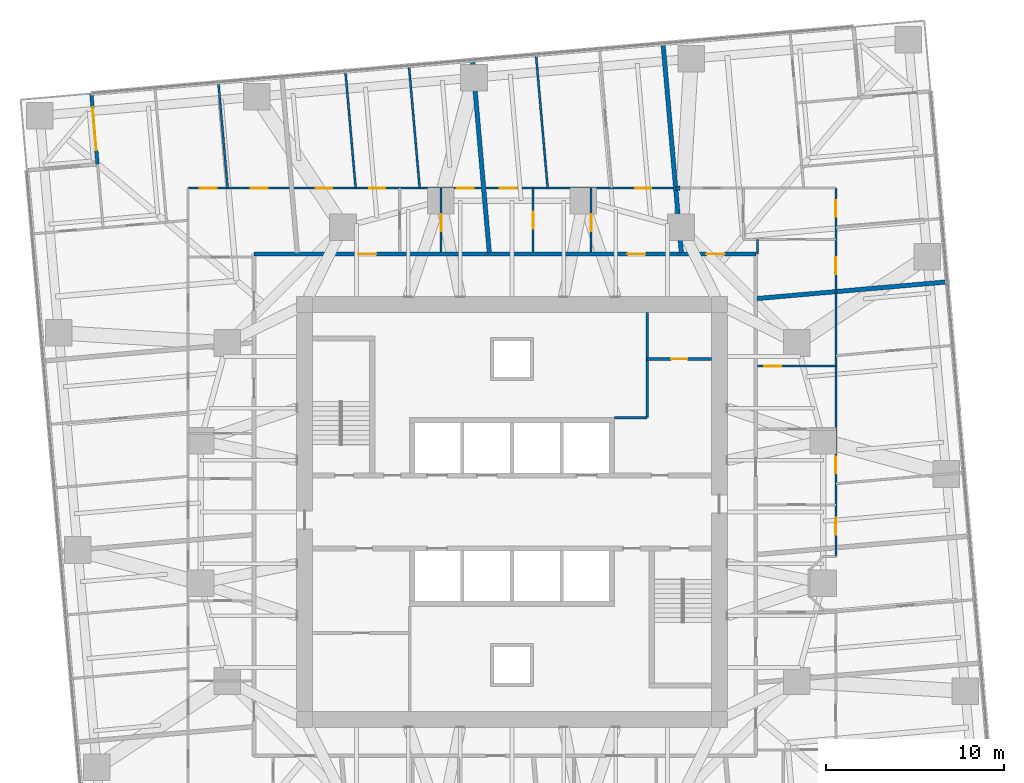
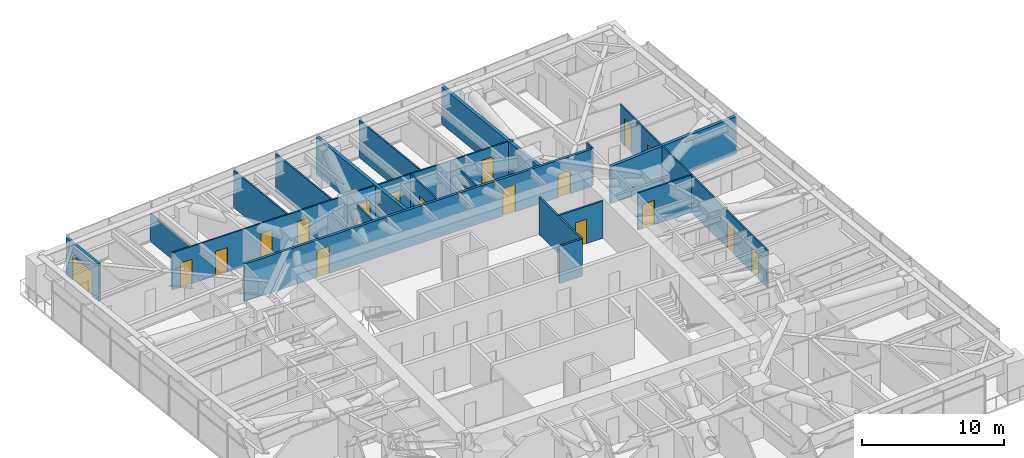
# One storey, part 15 of 18: 20 doors, 20 walls, 20 openings.
"""IFC4 building model written with IfcOpenShell, lengths in metres."""

import ifcopenshell
import ifcopenshell.guid

model = None  # the IFC model being written
_history = None  # IfcOwnerHistory: only IFC2X3 demands one
_inside = {}  # id of a spatial element -> (the spatial element, [elements in it])
_under = {}  # id of a project, library or spatial element -> (it, [spatial elements below it])
_declared = {}  # id of a project -> (the project, [libraries it declares])
_typed = {}  # id of a type object -> (the type object, [elements of that type])
_made_of = {}  # id of a material, layer set ... -> (it, [elements and type objects made of it])


def new_model(schema):
    """Start an empty IFC model of exactly this schema.

    Asked for "IFC4X3", IfcOpenShell would pick the latest addendum, in which some entities
    have other attributes; the version numbers below select the first issue.
    IFC2X3 requires an IfcOwnerHistory on every rooted entity: one is made here for all.
    """
    global model, _history
    if schema == "IFC4X3":
        model = ifcopenshell.file(schema_version=(4, 3, 0, 0))
    else:
        model = ifcopenshell.file(schema=schema)
    _inside.clear()
    _under.clear()
    _declared.clear()
    _typed.clear()
    _made_of.clear()
    _history = None
    if model.schema == "IFC2X3":
        org = make("IfcOrganization", Name="unknown")
        user = make(
            "IfcPersonAndOrganization",
            ThePerson=make("IfcPerson", FamilyName="unknown"),
            TheOrganization=org,
        )
        app = make(
            "IfcApplication",
            ApplicationDeveloper=org,
            Version="unknown",
            ApplicationFullName="unknown",
            ApplicationIdentifier="unknown",
        )
        _history = make(
            "IfcOwnerHistory",
            OwningUser=user,
            OwningApplication=app,
            ChangeAction="ADDED",
            CreationDate=0,
        )
    return model


def make(cls, **values):
    """One entity of the class cls with the attributes given. An attribute that is None is left unset."""
    return model.create_entity(
        cls, **{name: value for name, value in values.items() if value is not None}
    )


def rooted(cls, **values):
    """An entity with a GlobalId (a new one), such as an element, a storey or a relation."""
    return make(cls, GlobalId=ifcopenshell.guid.new(), OwnerHistory=_history, **values)


def si_unit(unit_type, name, prefix=None):
    """IfcSIUnit, for example si_unit("LENGTHUNIT", "METRE", prefix="MILLI")."""
    return make("IfcSIUnit", UnitType=unit_type, Prefix=prefix, Name=name)


def assignment(units):
    """IfcUnitAssignment: the units of a project."""
    return None if units is None else make("IfcUnitAssignment", Units=units)


def point(xyz):
    """IfcCartesianPoint."""
    return None if xyz is None else make("IfcCartesianPoint", Coordinates=xyz)


def direction(xyz):
    """IfcDirection."""
    return None if xyz is None else make("IfcDirection", DirectionRatios=xyz)


def frame(location, z_axis=None, x_axis=None):
    """IfcAxis2Placement3D, a coordinate frame: its origin and axes. An axis left out is left unset."""
    return make(
        "IfcAxis2Placement3D",
        Location=point(location),
        Axis=direction(z_axis),
        RefDirection=direction(x_axis),
    )


def frame_2d(location, x_axis=None):
    """IfcAxis2Placement2D, a coordinate frame in the plane: its origin and x axis."""
    return make(
        "IfcAxis2Placement2D", Location=point(location), RefDirection=direction(x_axis)
    )


def origin():
    """The frame at (0, 0, 0) with its axes left unset."""
    return frame((0.0, 0.0, 0.0))


def place(relative_to, where):
    """IfcLocalPlacement: puts the frame where relative to a parent placement (None: the world)."""
    return make(
        "IfcLocalPlacement", PlacementRelTo=relative_to, RelativePlacement=where
    )


def context(
    kind, dimensions, precision=None, world=None, true_north=None, identifier=None
):
    """IfcGeometricRepresentationContext, for example the 3D "Model" context."""
    return make(
        "IfcGeometricRepresentationContext",
        ContextIdentifier=identifier,
        ContextType=kind,
        CoordinateSpaceDimension=dimensions,
        Precision=precision,
        WorldCoordinateSystem=world,
        TrueNorth=true_north,
    )


def subcontext(parent, identifier, kind, view, scale=None):
    """IfcGeometricRepresentationSubContext, for example "Body" below "Model"."""
    return make(
        "IfcGeometricRepresentationSubContext",
        ContextIdentifier=identifier,
        ContextType=kind,
        ParentContext=parent,
        TargetScale=scale,
        TargetView=view,
    )


def project(units=None, contexts=None):
    """IfcProject with its units and contexts."""
    return rooted(
        "IfcProject",
        Name="project",
        RepresentationContexts=contexts,
        UnitsInContext=assignment(units),
    )


def spatial(cls, under=None, at=None, **own):
    """A site, building, storey or space (cls), placed at a placement, below another one or the project."""
    s = rooted(cls, ObjectPlacement=at, **own)
    if under is not None:
        _under.setdefault(under.id(), (under, []))[1].append(s)
    return s


def profile(cls, at=None, kind="AREA", **sizes):
    """A parametric profile (cls). Its sizes go by their IFC names, for example OverallWidth=200.0."""
    return make(cls, ProfileType=kind, Position=at, **sizes)


def rectangle(**sizes):
    """IfcRectangleProfileDef."""
    return profile("IfcRectangleProfileDef", **sizes)


def extrude(swept, where, along, depth):
    """IfcExtrudedAreaSolid: the profile swept, set in the frame where, extruded along a direction by depth."""
    return make(
        "IfcExtrudedAreaSolid",
        SweptArea=swept,
        Position=where,
        ExtrudedDirection=direction(along),
        Depth=depth,
    )


def shape(context_of_items, identifier, shape_type, items):
    """IfcShapeRepresentation: the items that make up one representation, for example the "Body"."""
    return make(
        "IfcShapeRepresentation",
        ContextOfItems=context_of_items,
        RepresentationIdentifier=identifier,
        RepresentationType=shape_type,
        Items=items,
    )


def material(Name=None, Category=None):
    """IfcMaterial."""
    return make("IfcMaterial", Name=Name, Category=Category)


def layer(
    of_material, thickness, ventilated=None, Name=None, Category=None, Priority=None
):
    """IfcMaterialLayer: one layer of a wall or slab, of a material (None: an air gap)."""
    return make(
        "IfcMaterialLayer",
        Material=of_material,
        LayerThickness=thickness,
        IsVentilated=ventilated,
        Name=Name,
        Category=Category,
        Priority=Priority,
    )


def layer_set(layers, Name=None):
    """IfcMaterialLayerSet."""
    return make("IfcMaterialLayerSet", MaterialLayers=layers, LayerSetName=Name)


def made_of(thing, what):
    """Note that an element or type object is made of a material, layer set ...; save() writes the relation."""
    if what is not None:
        _made_of.setdefault(what.id(), (what, []))[1].append(thing)
    return thing


def type_object(cls, material=None, **own):
    """A type object (cls), such as IfcWallType, which elements share."""
    return made_of(rooted(cls, **own), material)


def element(
    cls,
    number,
    at=None,
    inside=None,
    cuts=None,
    type_object=None,
    material=None,
    context=None,
    identifier="Body",
    shape_type=None,
    held_by="IfcProductDefinitionShape",
    body=None,
    shapes=None,
    **own,
):
    """One element of the class cls, such as IfcWall. Its Tag is "e" and its number.

    at: its placement. inside: the storey or other place that contains it. cuts: it is an
    opening in that element (IfcRelVoidsElement). A single representation is given by context,
    identifier, shape_type and body (its items); several are given by shapes. held_by: the class
    of the entity that holds the representations. save() writes the other relations.
    """
    e = rooted(cls, Tag="e%d" % number, ObjectPlacement=at, **own)
    if body is not None:
        shapes = [shape(context, identifier, shape_type, body)]
    if shapes is not None:
        e.Representation = make(held_by, Representations=shapes)
    if inside is not None:
        _inside.setdefault(inside.id(), (inside, []))[1].append(e)
    if cuts is not None:
        rooted(
            "IfcRelVoidsElement", RelatingBuildingElement=cuts, RelatedOpeningElement=e
        )
    if type_object is not None:
        _typed.setdefault(type_object.id(), (type_object, []))[1].append(e)
    return made_of(e, material)


def fill(opening, filler):
    """IfcRelFillsElement: the door or window that sits in an opening."""
    return rooted(
        "IfcRelFillsElement",
        RelatingOpeningElement=opening,
        RelatedBuildingElement=filler,
    )


def aggregate(whole, parts):
    """IfcRelAggregates: a whole, such as a stair, and the parts it consists of."""
    return rooted("IfcRelAggregates", RelatingObject=whole, RelatedObjects=parts)


def save(model, path):
    """Write the relations noted so far, then the file.

    IfcRelAggregates (storeys below a building ...), IfcRelContainedInSpatialStructure (elements
    in a storey), IfcRelDefinesByType, IfcRelAssociatesMaterial and IfcRelDeclares: one each for
    every whole, place, type object, material and project.
    """
    for whole, parts in _under.values():
        aggregate(whole, parts)
    for where, things in _inside.values():
        rooted(
            "IfcRelContainedInSpatialStructure",
            RelatedElements=things,
            RelatingStructure=where,
        )
    for kind, things in _typed.values():
        rooted("IfcRelDefinesByType", RelatedObjects=things, RelatingType=kind)
    for what, things in _made_of.values():
        rooted("IfcRelAssociatesMaterial", RelatedObjects=things, RelatingMaterial=what)
    for by, libraries in _declared.values():
        rooted("IfcRelDeclares", RelatingContext=by, RelatedDefinitions=libraries)
    model.write(path)


model = new_model("IFC4")

# Units and contexts
model_context = context("Model", 3, precision=1e-05, world=origin(), true_north=direction((0.0, 1.0)))
body_context = subcontext(model_context, "Body", "Model", "MODEL_VIEW")
ifc_project = project(units=[si_unit("LENGTHUNIT", "METRE"), si_unit("AREAUNIT", "SQUARE_METRE"), si_unit("VOLUMEUNIT", "CUBIC_METRE"), si_unit("PLANEANGLEUNIT", "RADIAN"), si_unit("MASSUNIT", "GRAM", prefix="KILO")], contexts=[model_context])

# Site, building, storey
site_placement = place(None, origin())
site = spatial("IfcSite", under=ifc_project, at=site_placement, CompositionType="ELEMENT")
building_placement = place(site_placement, origin())
building = spatial("IfcBuilding", under=site, at=building_placement, Name="Torsade Residences", CompositionType="ELEMENT")
storey_placement = place(building_placement, frame((0.0, 0.0, 71.0)))
storey = spatial("IfcBuildingStorey", under=building, at=storey_placement, Name="L19", CompositionType="ELEMENT", Elevation=71.0)

# Wall, openings, doors
ifc_material_1 = material(Name="Plasterboard on steel stud", Category="steel")
ifc_layer_1 = layer(ifc_material_1, 0.199951171875)
ifc_layer_set_1 = layer_set([ifc_layer_1], Name="Plasterboard on steel stud")
wall_type_1 = type_object("IfcWallType", Name="CORRIDOR WALL 200", PredefinedType="PARTITIONING", material=ifc_layer_set_1)
wall_1_placement = place(storey_placement, frame((53.699951171875, 44.5, 0.0), z_axis=(0.0, 0.0, 1.0), x_axis=(-1.0, 0.0, 0.0)))
wall_1 = element("IfcWall", 1, at=wall_1_placement, inside=storey, type_object=wall_type_1, Name="Corridor wall L19", PredefinedType="PARTITIONING", context=body_context, shape_type="SweptSolid", body=[
    extrude(rectangle(XDim=28.199951171875, YDim=0.199951171875, at=frame_2d((14.10009765625, 0.0))), origin(), (0.0, 0.0, 1.0), 3.199951171875),
])
opening_1_placement = place(wall_1_placement, frame((21.32080078125, 0.0, 0.0)))
opening_1 = element("IfcOpeningElement", 2, at=opening_1_placement, cuts=wall_1, Name="Opening D01", PredefinedType="OPENING", context=body_context, shape_type="SweptSolid", body=[
    extrude(rectangle(XDim=1.02001953125, YDim=2.340087890625, at=frame_2d((0.510009765625, 1.169921875))), frame((0.0, 0.10986328125, 0.0), z_axis=(0.0, -1.0, 0.0), x_axis=(1.0, 0.0, 0.0)), (0.0, 0.0, 1.0), 0.219970703125),
])
opening_2_placement = place(wall_1_placement, frame((6.201416015625, 0.0, 0.0)))
opening_2 = element("IfcOpeningElement", 3, at=opening_2_placement, cuts=wall_1, Name="Opening D01", PredefinedType="OPENING", context=body_context, shape_type="SweptSolid", body=[
    extrude(rectangle(XDim=1.02001953125, YDim=2.340087890625, at=frame_2d((0.510009765625, 1.169921875))), frame((0.0, 0.10986328125, 0.0), z_axis=(0.0, -1.0, 0.0), x_axis=(1.0, 0.0, 0.0)), (0.0, 0.0, 1.0), 0.219970703125),
])
opening_3_placement = place(wall_1_placement, frame((1.75, 0.0, 0.0)))
opening_3 = element("IfcOpeningElement", 4, at=opening_3_placement, cuts=wall_1, Name="Opening D01N", PredefinedType="OPENING", context=body_context, shape_type="SweptSolid", body=[
    extrude(rectangle(XDim=1.02001953125, YDim=2.0, at=frame_2d((0.510009765625, 1.0))), frame((0.0, 0.10986328125, 0.0), z_axis=(0.0, -1.0, 0.0), x_axis=(1.0, 0.0, 0.0)), (0.0, 0.0, 1.0), 0.219970703125),
])
ifc_material_2 = material(Name="Solid-core timber fire door", Category="wood")
door_type_1 = type_object("IfcDoorType", Name="APARTMENT ENTRY DOOR 1020x2000", OperationType="NOTDEFINED", PredefinedType="DOOR", material=ifc_material_2)
door_1_placement = place(opening_3_placement, origin())
door_1 = element("IfcDoor", 5, at=door_1_placement, inside=storey, type_object=door_type_1, Name="Door Residential corridor to Kitchen and dining", OperationType="SINGLE_SWING_LEFT", OverallHeight=2.0, OverallWidth=1.02001953125, PredefinedType="DOOR", context=body_context, shape_type="SweptSolid", body=[
    extrude(rectangle(XDim=1.02001953125, YDim=2.0, at=frame_2d((0.510009765625, 1.0))), frame((0.0, 0.02490234375, 0.0), z_axis=(0.0, -1.0, 0.0), x_axis=(1.0, 0.0, 0.0)), (0.0, 0.0, 1.0), 0.050048828125),
])
fill(opening_3, door_1)
ifc_material_3 = material(Name="Solid-core timber fire door", Category="wood")
door_type_2 = type_object("IfcDoorType", Name="APARTMENT ENTRY DOOR 1020x2340", OperationType="NOTDEFINED", PredefinedType="DOOR", material=ifc_material_3)
door_2_placement = place(opening_1_placement, origin())
door_2 = element("IfcDoor", 6, at=door_2_placement, inside=storey, type_object=door_type_2, Name="Door Residential corridor to Kitchen and dining", OperationType="SINGLE_SWING_LEFT", OverallHeight=2.340087890625, OverallWidth=1.02001953125, PredefinedType="DOOR", context=body_context, shape_type="SweptSolid", body=[
    extrude(rectangle(XDim=1.02001953125, YDim=2.340087890625, at=frame_2d((0.510009765625, 1.169921875))), frame((0.0, 0.02490234375, 0.0), z_axis=(0.0, -1.0, 0.0), x_axis=(1.0, 0.0, 0.0)), (0.0, 0.0, 1.0), 0.050048828125),
])
fill(opening_1, door_2)
door_3_placement = place(opening_2_placement, origin())
door_3 = element("IfcDoor", 7, at=door_3_placement, inside=storey, type_object=door_type_2, Name="Door Residential corridor to Kitchen and dining", OperationType="SINGLE_SWING_LEFT", OverallHeight=2.340087890625, OverallWidth=1.02001953125, PredefinedType="DOOR", context=body_context, shape_type="SweptSolid", body=[
    extrude(rectangle(XDim=1.02001953125, YDim=2.340087890625, at=frame_2d((0.510009765625, 1.169921875))), frame((0.0, 0.02490234375, 0.0), z_axis=(0.0, -1.0, 0.0), x_axis=(1.0, 0.0, 0.0)), (0.0, 0.0, 1.0), 0.050048828125),
])
fill(opening_2, door_3)

ifc_material_4 = material(Name="Plasterboard on steel stud", Category="steel")
ifc_layer_2 = layer(ifc_material_4, 0.1201171875)
ifc_layer_set_2 = layer_set([ifc_layer_2], Name="Plasterboard on steel stud")
wall_type_2 = type_object("IfcWallType", Name="PARTITION 120", PredefinedType="PARTITIONING", material=ifc_layer_set_2)
wall_2_placement = place(storey_placement, frame((58.199951171875, 48.199951171875, 0.0), z_axis=(0.0, 0.0, 1.0), x_axis=(0.0, -1.0, 0.0)))
wall_2 = element("IfcWall", 8, at=wall_2_placement, inside=storey, type_object=wall_type_2, Name="Partition L19", PredefinedType="PARTITIONING", context=body_context, shape_type="SweptSolid", body=[
    extrude(rectangle(XDim=20.699951171875, YDim=0.1201171875, at=frame_2d((10.35009765625, 0.0))), origin(), (0.0, 0.0, 1.0), 3.199951171875),
])
opening_4_placement = place(wall_2_placement, frame((15.0947265625, 0.0, 0.0)))
opening_4 = element("IfcOpeningElement", 9, at=opening_4_placement, cuts=wall_2, Name="Opening D02", PredefinedType="OPENING", context=body_context, shape_type="SweptSolid", body=[
    extrude(rectangle(XDim=0.919921875, YDim=2.340087890625, at=frame_2d((0.4599609375, 1.169921875))), frame((0.0, 0.070068359375, 0.0), z_axis=(0.0, -1.0, 0.0), x_axis=(1.0, 0.0, 0.0)), (0.0, 0.0, 1.0), 0.14013671875),
])
opening_5_placement = place(wall_2_placement, frame((18.520751953125, 0.0, 0.0)))
opening_5 = element("IfcOpeningElement", 10, at=opening_5_placement, cuts=wall_2, Name="Opening D05", PredefinedType="OPENING", context=body_context, shape_type="SweptSolid", body=[
    extrude(rectangle(XDim=0.9599609375, YDim=2.10009765625, at=frame_2d((0.47998046875, 1.050048828125))), frame((0.0, 0.070068359375, 0.0), z_axis=(0.0, -1.0, 0.0), x_axis=(1.0, 0.0, 0.0)), (0.0, 0.0, 1.0), 0.14013671875),
])
opening_6_placement = place(wall_2_placement, frame((0.6748046875, 0.0, 0.0)))
opening_6 = element("IfcOpeningElement", 11, at=opening_6_placement, cuts=wall_2, Name="Opening D02", PredefinedType="OPENING", context=body_context, shape_type="SweptSolid", body=[
    extrude(rectangle(XDim=0.919921875, YDim=2.340087890625, at=frame_2d((0.4599609375, 1.169921875))), frame((0.0, 0.070068359375, 0.0), z_axis=(0.0, -1.0, 0.0), x_axis=(1.0, 0.0, 0.0)), (0.0, 0.0, 1.0), 0.14013671875),
])
opening_7_placement = place(wall_2_placement, frame((3.8720703125, 0.0, 0.0)))
opening_7 = element("IfcOpeningElement", 12, at=opening_7_placement, cuts=wall_2, Name="Opening D05", PredefinedType="OPENING", context=body_context, shape_type="SweptSolid", body=[
    extrude(rectangle(XDim=0.9599609375, YDim=2.10009765625, at=frame_2d((0.47998046875, 1.050048828125))), frame((0.0, 0.070068359375, 0.0), z_axis=(0.0, -1.0, 0.0), x_axis=(1.0, 0.0, 0.0)), (0.0, 0.0, 1.0), 0.14013671875),
])
ifc_material_5 = material(Name="Hollow-core timber door in a steel cavity frame", Category="steel")
door_type_3 = type_object("IfcDoorType", Name="BATHROOM CAVITY SLIDING DOOR 960", OperationType="SLIDING_TO_LEFT", PredefinedType="DOOR", material=ifc_material_5)
door_4_placement = place(opening_5_placement, origin())
door_4 = element("IfcDoor", 13, at=door_4_placement, inside=storey, type_object=door_type_3, Name="Door Laundry to Bedroom 1", OperationType="SLIDING_TO_LEFT", OverallHeight=2.10009765625, OverallWidth=0.9599609375, PredefinedType="DOOR", context=body_context, shape_type="SweptSolid", body=[
    extrude(rectangle(XDim=0.9599609375, YDim=2.10009765625, at=frame_2d((0.47998046875, 1.050048828125))), frame((0.0, 0.02490234375, 0.0), z_axis=(0.0, -1.0, 0.0), x_axis=(1.0, 0.0, 0.0)), (0.0, 0.0, 1.0), 0.050048828125),
])
fill(opening_5, door_4)
door_5_placement = place(opening_7_placement, origin())
door_5 = element("IfcDoor", 14, at=door_5_placement, inside=storey, type_object=door_type_3, Name="Door Bathroom to Study", OperationType="SLIDING_TO_LEFT", OverallHeight=2.10009765625, OverallWidth=0.9599609375, PredefinedType="DOOR", context=body_context, shape_type="SweptSolid", body=[
    extrude(rectangle(XDim=0.9599609375, YDim=2.10009765625, at=frame_2d((0.47998046875, 1.050048828125))), frame((0.0, 0.02490234375, 0.0), z_axis=(0.0, -1.0, 0.0), x_axis=(1.0, 0.0, 0.0)), (0.0, 0.0, 1.0), 0.050048828125),
])
fill(opening_7, door_5)
ifc_material_6 = material(Name="Hollow-core timber door", Category="wood")
door_type_4 = type_object("IfcDoorType", Name="INTERNAL DOOR 920x2340", OperationType="NOTDEFINED", PredefinedType="DOOR", material=ifc_material_6)
door_6_placement = place(opening_4_placement, origin())
door_6 = element("IfcDoor", 15, at=door_6_placement, inside=storey, type_object=door_type_4, Name="Door Kitchen and dining to Living room", OperationType="SINGLE_SWING_RIGHT", OverallHeight=2.340087890625, OverallWidth=0.919921875, PredefinedType="DOOR", context=body_context, shape_type="SweptSolid", body=[
    extrude(rectangle(XDim=0.919921875, YDim=2.340087890625, at=frame_2d((0.4599609375, 1.169921875))), frame((0.0, 0.02490234375, 0.0), z_axis=(0.0, -1.0, 0.0), x_axis=(1.0, 0.0, 0.0)), (0.0, 0.0, 1.0), 0.050048828125),
])
fill(opening_4, door_6)
door_7_placement = place(opening_6_placement, origin())
door_7 = element("IfcDoor", 16, at=door_7_placement, inside=storey, type_object=door_type_4, Name="Door Dressing room to Bedroom 2", OperationType="SINGLE_SWING_RIGHT", OverallHeight=2.340087890625, OverallWidth=0.919921875, PredefinedType="DOOR", context=body_context, shape_type="SweptSolid", body=[
    extrude(rectangle(XDim=0.919921875, YDim=2.340087890625, at=frame_2d((0.4599609375, 1.169921875))), frame((0.0, 0.02490234375, 0.0), z_axis=(0.0, -1.0, 0.0), x_axis=(1.0, 0.0, 0.0)), (0.0, 0.0, 1.0), 0.050048828125),
])
fill(opening_6, door_7)

# Wall, opening, door
wall_3_placement = place(storey_placement, frame((58.199951171875, 38.19970703125, 0.0), z_axis=(0.0, 0.0, 1.0), x_axis=(-1.0, 0.0, 0.0)))
wall_3 = element("IfcWall", 17, at=wall_3_placement, inside=storey, type_object=wall_type_2, Name="Partition L19", PredefinedType="PARTITIONING", context=body_context, shape_type="SweptSolid", body=[
    extrude(rectangle(XDim=4.39990234375, YDim=0.1201171875, at=frame_2d((2.199951171875, 0.0))), origin(), (0.0, 0.0, 1.0), 3.199951171875),
])
opening_8_placement = place(wall_3_placement, frame((3.070068359375, 0.0, 0.0)))
opening_8 = element("IfcOpeningElement", 18, at=opening_8_placement, cuts=wall_3, Name="Opening D05", PredefinedType="OPENING", context=body_context, shape_type="SweptSolid", body=[
    extrude(rectangle(XDim=0.9599609375, YDim=2.10009765625, at=frame_2d((0.47998046875, 1.050048828125))), frame((0.0, 0.070068359375, 0.0), z_axis=(0.0, -1.0, 0.0), x_axis=(1.0, 0.0, 0.0)), (0.0, 0.0, 1.0), 0.14013671875),
])
door_8_placement = place(opening_8_placement, origin())
door_8 = element("IfcDoor", 19, at=door_8_placement, inside=storey, type_object=door_type_3, Name="Door Ensuite to Bathroom", OperationType="SLIDING_TO_LEFT", OverallHeight=2.10009765625, OverallWidth=0.9599609375, PredefinedType="DOOR", context=body_context, shape_type="SweptSolid", body=[
    extrude(rectangle(XDim=0.9599609375, YDim=2.10009765625, at=frame_2d((0.47998046875, 1.050048828125))), frame((0.0, 0.02490234375, 0.0), z_axis=(0.0, -1.0, 0.0), x_axis=(1.0, 0.0, 0.0)), (0.0, 0.0, 1.0), 0.050048828125),
])
fill(opening_8, door_8)

# Wall
wall_4_placement = place(storey_placement, frame((53.800048828125, 45.3125, 0.0), z_axis=(0.0, 0.0, 1.0), x_axis=(0.0, -1.0, 0.0)))
element("IfcWall", 20, at=wall_4_placement, inside=storey, type_object=wall_type_2, Name="Partition L19", PredefinedType="PARTITIONING", context=body_context, shape_type="SweptSolid", body=[
    extrude(rectangle(XDim=0.8125, YDim=0.1201171875, at=frame_2d((0.40625, 0.0))), origin(), (0.0, 0.0, 1.0), 3.199951171875),
])

# Wall, opening, door
wall_5_placement = place(storey_placement, frame((44.44482421875, 44.60009765625, 0.0), z_axis=(0.0, 0.0, 1.0), x_axis=(0.0, 1.0, 0.0)))
wall_5 = element("IfcWall", 21, at=wall_5_placement, inside=storey, type_object=wall_type_2, Name="Partition L19", PredefinedType="PARTITIONING", context=body_context, shape_type="SweptSolid", body=[
    extrude(rectangle(XDim=3.599853515625, YDim=0.1201171875, at=frame_2d((1.7998046875, 0.0))), origin(), (0.0, 0.0, 1.0), 3.199951171875),
])
opening_9_placement = place(wall_5_placement, frame((1.169921875, 0.0, 0.0)))
opening_9 = element("IfcOpeningElement", 22, at=opening_9_placement, cuts=wall_5, Name="Opening D05", PredefinedType="OPENING", context=body_context, shape_type="SweptSolid", body=[
    extrude(rectangle(XDim=0.9599609375, YDim=2.10009765625, at=frame_2d((0.47998046875, 1.050048828125))), frame((0.0, 0.070068359375, 0.0), z_axis=(0.0, -1.0, 0.0), x_axis=(1.0, 0.0, 0.0)), (0.0, 0.0, 1.0), 0.14013671875),
])
door_9_placement = place(opening_9_placement, origin())
door_9 = element("IfcDoor", 23, at=door_9_placement, inside=storey, type_object=door_type_3, Name="Door Kitchen and dining to Bathroom", OperationType="SLIDING_TO_LEFT", OverallHeight=2.10009765625, OverallWidth=0.9599609375, PredefinedType="DOOR", context=body_context, shape_type="SweptSolid", body=[
    extrude(rectangle(XDim=0.9599609375, YDim=2.10009765625, at=frame_2d((0.47998046875, 1.050048828125))), frame((0.0, 0.02490234375, 0.0), z_axis=(0.0, -1.0, 0.0), x_axis=(1.0, 0.0, 0.0)), (0.0, 0.0, 1.0), 0.050048828125),
])
fill(opening_9, door_9)

# Wall, openings, doors
wall_6_placement = place(storey_placement, frame((21.800048828125, 48.199951171875, 0.0), z_axis=(0.0, 0.0, 1.0), x_axis=(1.0, 0.0, 0.0)))
wall_6 = element("IfcWall", 24, at=wall_6_placement, inside=storey, type_object=wall_type_2, Name="Partition L19", PredefinedType="PARTITIONING", context=body_context, shape_type="SweptSolid", body=[
    extrude(rectangle(XDim=27.398681640625, YDim=0.1201171875, at=frame_2d((13.69921875, 0.0))), origin(), (0.0, 0.0, 1.0), 3.199951171875),
])
opening_10_placement = place(wall_6_placement, frame((7.18017578125, 0.0, 0.0)))
opening_10 = element("IfcOpeningElement", 25, at=opening_10_placement, cuts=wall_6, Name="Opening D02", PredefinedType="OPENING", context=body_context, shape_type="SweptSolid", body=[
    extrude(rectangle(XDim=0.919921875, YDim=2.340087890625, at=frame_2d((0.4599609375, 1.169921875))), frame((0.0, 0.070068359375, 0.0), z_axis=(0.0, -1.0, 0.0), x_axis=(1.0, 0.0, 0.0)), (0.0, 0.0, 1.0), 0.14013671875),
])
opening_11_placement = place(wall_6_placement, frame((10.166748046875, 0.0, 0.0)))
opening_11 = element("IfcOpeningElement", 26, at=opening_11_placement, cuts=wall_6, Name="Opening D02", PredefinedType="OPENING", context=body_context, shape_type="SweptSolid", body=[
    extrude(rectangle(XDim=0.919921875, YDim=2.340087890625, at=frame_2d((0.4599609375, 1.169921875))), frame((0.0, 0.070068359375, 0.0), z_axis=(0.0, -1.0, 0.0), x_axis=(1.0, 0.0, 0.0)), (0.0, 0.0, 1.0), 0.14013671875),
])
opening_12_placement = place(wall_6_placement, frame((25.114990234375, 0.0, 0.0)))
opening_12 = element("IfcOpeningElement", 27, at=opening_12_placement, cuts=wall_6, Name="Opening D02", PredefinedType="OPENING", context=body_context, shape_type="SweptSolid", body=[
    extrude(rectangle(XDim=0.919921875, YDim=2.340087890625, at=frame_2d((0.4599609375, 1.169921875))), frame((0.0, 0.070068359375, 0.0), z_axis=(0.0, -1.0, 0.0), x_axis=(1.0, 0.0, 0.0)), (0.0, 0.0, 1.0), 0.14013671875),
])
opening_13_placement = place(wall_6_placement, frame((3.512939453125, 0.0, 0.0)))
opening_13 = element("IfcOpeningElement", 28, at=opening_13_placement, cuts=wall_6, Name="Opening D05", PredefinedType="OPENING", context=body_context, shape_type="SweptSolid", body=[
    extrude(rectangle(XDim=0.9599609375, YDim=2.10009765625, at=frame_2d((0.47998046875, 1.050048828125))), frame((0.0, 0.070068359375, 0.0), z_axis=(0.0, -1.0, 0.0), x_axis=(1.0, 0.0, 0.0)), (0.0, 0.0, 1.0), 0.14013671875),
])
opening_14_placement = place(wall_6_placement, frame((0.65478515625, 0.0, 0.0)))
opening_14 = element("IfcOpeningElement", 29, at=opening_14_placement, cuts=wall_6, Name="Opening D05", PredefinedType="OPENING", context=body_context, shape_type="SweptSolid", body=[
    extrude(rectangle(XDim=0.9599609375, YDim=2.10009765625, at=frame_2d((0.47998046875, 1.050048828125))), frame((0.0, 0.070068359375, 0.0), z_axis=(0.0, -1.0, 0.0), x_axis=(1.0, 0.0, 0.0)), (0.0, 0.0, 1.0), 0.14013671875),
])
opening_15_placement = place(wall_6_placement, frame((15.08349609375, 0.0, 0.0)))
opening_15 = element("IfcOpeningElement", 30, at=opening_15_placement, cuts=wall_6, Name="Opening D05", PredefinedType="OPENING", context=body_context, shape_type="SweptSolid", body=[
    extrude(rectangle(XDim=0.9599609375, YDim=2.10009765625, at=frame_2d((0.47998046875, 1.050048828125))), frame((0.0, 0.070068359375, 0.0), z_axis=(0.0, -1.0, 0.0), x_axis=(1.0, 0.0, 0.0)), (0.0, 0.0, 1.0), 0.14013671875),
])
opening_16_placement = place(wall_6_placement, frame((17.515869140625, 0.0, 0.0)))
opening_16 = element("IfcOpeningElement", 31, at=opening_16_placement, cuts=wall_6, Name="Opening D05", PredefinedType="OPENING", context=body_context, shape_type="SweptSolid", body=[
    extrude(rectangle(XDim=0.9599609375, YDim=2.10009765625, at=frame_2d((0.47998046875, 1.050048828125))), frame((0.0, 0.070068359375, 0.0), z_axis=(0.0, -1.0, 0.0), x_axis=(1.0, 0.0, 0.0)), (0.0, 0.0, 1.0), 0.14013671875),
])
door_10_placement = place(opening_13_placement, origin())
door_10 = element("IfcDoor", 32, at=door_10_placement, inside=storey, type_object=door_type_3, Name="Door Bathroom to Study", OperationType="SLIDING_TO_LEFT", OverallHeight=2.10009765625, OverallWidth=0.9599609375, PredefinedType="DOOR", context=body_context, shape_type="SweptSolid", body=[
    extrude(rectangle(XDim=0.9599609375, YDim=2.10009765625, at=frame_2d((0.47998046875, 1.050048828125))), frame((0.0, 0.02490234375, 0.0), z_axis=(0.0, -1.0, 0.0), x_axis=(1.0, 0.0, 0.0)), (0.0, 0.0, 1.0), 0.050048828125),
])
fill(opening_13, door_10)
door_11_placement = place(opening_14_placement, origin())
door_11 = element("IfcDoor", 33, at=door_11_placement, inside=storey, type_object=door_type_3, Name="Door Bathroom to Bedroom 2", OperationType="SLIDING_TO_LEFT", OverallHeight=2.10009765625, OverallWidth=0.9599609375, PredefinedType="DOOR", context=body_context, shape_type="SweptSolid", body=[
    extrude(rectangle(XDim=0.9599609375, YDim=2.10009765625, at=frame_2d((0.47998046875, 1.050048828125))), frame((0.0, 0.02490234375, 0.0), z_axis=(0.0, -1.0, 0.0), x_axis=(1.0, 0.0, 0.0)), (0.0, 0.0, 1.0), 0.050048828125),
])
fill(opening_14, door_11)
door_12_placement = place(opening_15_placement, origin())
door_12 = element("IfcDoor", 34, at=door_12_placement, inside=storey, type_object=door_type_3, Name="Door Bathroom to Living room", OperationType="SLIDING_TO_LEFT", OverallHeight=2.10009765625, OverallWidth=0.9599609375, PredefinedType="DOOR", context=body_context, shape_type="SweptSolid", body=[
    extrude(rectangle(XDim=0.9599609375, YDim=2.10009765625, at=frame_2d((0.47998046875, 1.050048828125))), frame((0.0, 0.02490234375, 0.0), z_axis=(0.0, -1.0, 0.0), x_axis=(1.0, 0.0, 0.0)), (0.0, 0.0, 1.0), 0.050048828125),
])
fill(opening_15, door_12)
door_13_placement = place(opening_16_placement, origin())
door_13 = element("IfcDoor", 35, at=door_13_placement, inside=storey, type_object=door_type_3, Name="Door Ensuite to Bedroom 2", OperationType="SLIDING_TO_LEFT", OverallHeight=2.10009765625, OverallWidth=0.9599609375, PredefinedType="DOOR", context=body_context, shape_type="SweptSolid", body=[
    extrude(rectangle(XDim=0.9599609375, YDim=2.10009765625, at=frame_2d((0.47998046875, 1.050048828125))), frame((0.0, 0.02490234375, 0.0), z_axis=(0.0, -1.0, 0.0), x_axis=(1.0, 0.0, 0.0)), (0.0, 0.0, 1.0), 0.050048828125),
])
fill(opening_16, door_13)
door_14_placement = place(opening_10_placement, origin())
door_14 = element("IfcDoor", 36, at=door_14_placement, inside=storey, type_object=door_type_4, Name="Door Kitchen and dining to Bedroom 2", OperationType="SINGLE_SWING_LEFT", OverallHeight=2.340087890625, OverallWidth=0.919921875, PredefinedType="DOOR", context=body_context, shape_type="SweptSolid", body=[
    extrude(rectangle(XDim=0.919921875, YDim=2.340087890625, at=frame_2d((0.4599609375, 1.169921875))), frame((0.0, 0.02490234375, 0.0), z_axis=(0.0, -1.0, 0.0), x_axis=(1.0, 0.0, 0.0)), (0.0, 0.0, 1.0), 0.050048828125),
])
fill(opening_10, door_14)
door_15_placement = place(opening_11_placement, origin())
door_15 = element("IfcDoor", 37, at=door_15_placement, inside=storey, type_object=door_type_4, Name="Door Kitchen and dining to Bedroom 1", OperationType="SINGLE_SWING_LEFT", OverallHeight=2.340087890625, OverallWidth=0.919921875, PredefinedType="DOOR", context=body_context, shape_type="SweptSolid", body=[
    extrude(rectangle(XDim=0.919921875, YDim=2.340087890625, at=frame_2d((0.4599609375, 1.169921875))), frame((0.0, 0.02490234375, 0.0), z_axis=(0.0, -1.0, 0.0), x_axis=(1.0, 0.0, 0.0)), (0.0, 0.0, 1.0), 0.050048828125),
])
fill(opening_11, door_15)
door_16_placement = place(opening_12_placement, origin())
door_16 = element("IfcDoor", 38, at=door_16_placement, inside=storey, type_object=door_type_4, Name="Door Kitchen and dining to Living room", OperationType="SINGLE_SWING_RIGHT", OverallHeight=2.340087890625, OverallWidth=0.919921875, PredefinedType="DOOR", context=body_context, shape_type="SweptSolid", body=[
    extrude(rectangle(XDim=0.919921875, YDim=2.340087890625, at=frame_2d((0.4599609375, 1.169921875))), frame((0.0, 0.02490234375, 0.0), z_axis=(0.0, -1.0, 0.0), x_axis=(1.0, 0.0, 0.0)), (0.0, 0.0, 1.0), 0.050048828125),
])
fill(opening_12, door_16)

# Wall, opening, door
wall_7_placement = place(storey_placement, frame((41.183837890625, 44.60009765625, 0.0), z_axis=(0.0, 0.0, 1.0), x_axis=(0.0, 1.0, 0.0)))
wall_7 = element("IfcWall", 39, at=wall_7_placement, inside=storey, type_object=wall_type_2, Name="Partition L19", PredefinedType="PARTITIONING", context=body_context, shape_type="SweptSolid", body=[
    extrude(rectangle(XDim=3.599853515625, YDim=0.1201171875, at=frame_2d((1.7998046875, 0.0))), origin(), (0.0, 0.0, 1.0), 3.199951171875),
])
opening_17_placement = place(wall_7_placement, frame((1.320068359375, 0.0, 0.0)))
opening_17 = element("IfcOpeningElement", 40, at=opening_17_placement, cuts=wall_7, Name="Opening D05", PredefinedType="OPENING", context=body_context, shape_type="SweptSolid", body=[
    extrude(rectangle(XDim=0.9599609375, YDim=2.10009765625, at=frame_2d((0.47998046875, 1.050048828125))), frame((0.0, 0.070068359375, 0.0), z_axis=(0.0, -1.0, 0.0), x_axis=(1.0, 0.0, 0.0)), (0.0, 0.0, 1.0), 0.14013671875),
])
door_17_placement = place(opening_17_placement, origin())
door_17 = element("IfcDoor", 41, at=door_17_placement, inside=storey, type_object=door_type_3, Name="Door Bathroom to Ensuite", OperationType="SLIDING_TO_LEFT", OverallHeight=2.10009765625, OverallWidth=0.9599609375, PredefinedType="DOOR", context=body_context, shape_type="SweptSolid", body=[
    extrude(rectangle(XDim=0.9599609375, YDim=2.10009765625, at=frame_2d((0.47998046875, 1.050048828125))), frame((0.0, 0.02490234375, 0.0), z_axis=(0.0, -1.0, 0.0), x_axis=(1.0, 0.0, 0.0)), (0.0, 0.0, 1.0), 0.050048828125),
])
fill(opening_17, door_17)

# Wall
wall_8_placement = place(storey_placement, frame((42.004638671875, 48.199951171875, 0.0), z_axis=(0.0, 0.0, 1.0), x_axis=(-0.08715887855, 0.99619442374, 0.0)))
element("IfcWall", 42, at=wall_8_placement, inside=storey, type_object=wall_type_2, Name="Partition L19", PredefinedType="PARTITIONING", context=body_context, shape_type="SweptSolid", body=[
    extrude(rectangle(XDim=7.504150390625, YDim=0.1201171875, at=frame_2d((3.751953125, 0.0))), origin(), (0.0, 0.0, 1.0), 3.199951171875),
])

# Wall, opening, door
wall_9_placement = place(storey_placement, frame((36.019287109375, 44.60009765625, 0.0), z_axis=(0.0, 0.0, 1.0), x_axis=(0.0, 1.0, 0.0)))
wall_9 = element("IfcWall", 43, at=wall_9_placement, inside=storey, type_object=wall_type_2, Name="Partition L19", PredefinedType="PARTITIONING", context=body_context, shape_type="SweptSolid", body=[
    extrude(rectangle(XDim=3.599853515625, YDim=0.1201171875, at=frame_2d((1.7998046875, 0.0))), origin(), (0.0, 0.0, 1.0), 3.199951171875),
])
opening_18_placement = place(wall_9_placement, frame((1.169921875, 0.0, 0.0)))
opening_18 = element("IfcOpeningElement", 44, at=opening_18_placement, cuts=wall_9, Name="Opening D05", PredefinedType="OPENING", context=body_context, shape_type="SweptSolid", body=[
    extrude(rectangle(XDim=0.9599609375, YDim=2.10009765625, at=frame_2d((0.47998046875, 1.050048828125))), frame((0.0, 0.070068359375, 0.0), z_axis=(0.0, -1.0, 0.0), x_axis=(1.0, 0.0, 0.0)), (0.0, 0.0, 1.0), 0.14013671875),
])
door_18_placement = place(opening_18_placement, origin())
door_18 = element("IfcDoor", 45, at=door_18_placement, inside=storey, type_object=door_type_3, Name="Door Ensuite to Bathroom", OperationType="SLIDING_TO_LEFT", OverallHeight=2.10009765625, OverallWidth=0.9599609375, PredefinedType="DOOR", context=body_context, shape_type="SweptSolid", body=[
    extrude(rectangle(XDim=0.9599609375, YDim=2.10009765625, at=frame_2d((0.47998046875, 1.050048828125))), frame((0.0, 0.02490234375, 0.0), z_axis=(0.0, -1.0, 0.0), x_axis=(1.0, 0.0, 0.0)), (0.0, 0.0, 1.0), 0.050048828125),
])
fill(opening_18, door_18)

# Walls
wall_10_placement = place(storey_placement, frame((34.810791015625, 48.199951171875, 0.0), z_axis=(0.0, 0.0, 1.0), x_axis=(-0.087190290923, 0.996191674914, 0.0)))
element("IfcWall", 46, at=wall_10_placement, inside=storey, type_object=wall_type_2, Name="Partition L19", PredefinedType="PARTITIONING", context=body_context, shape_type="SweptSolid", body=[
    extrude(rectangle(XDim=6.876953125, YDim=0.1201171875, at=frame_2d((3.4384765625, 0.0))), origin(), (0.0, 0.0, 1.0), 3.199951171875),
])
wall_11_placement = place(storey_placement, frame((31.213623046875, 48.199951171875, 0.0), z_axis=(0.0, 0.0, 1.0), x_axis=(-0.087151261897, 0.996195090105, 0.0)))
element("IfcWall", 47, at=wall_11_placement, inside=storey, type_object=wall_type_2, Name="Partition L19", PredefinedType="PARTITIONING", context=body_context, shape_type="SweptSolid", body=[
    extrude(rectangle(XDim=6.5634765625, YDim=0.1201171875, at=frame_2d((3.28173828125, 0.0))), origin(), (0.0, 0.0, 1.0), 3.199951171875),
])
wall_12_placement = place(storey_placement, frame((23.502197265625, 54.11376953125, 0.0), z_axis=(0.0, 0.0, 1.0), x_axis=(0.087146033323, -0.996195547509, 0.0)))
element("IfcWall", 48, at=wall_12_placement, inside=storey, type_object=wall_type_2, Name="Partition L19", PredefinedType="PARTITIONING", context=body_context, shape_type="SweptSolid", body=[
    extrude(rectangle(XDim=5.9365234375, YDim=0.1201171875, at=frame_2d((2.96826171875, 0.0))), origin(), (0.0, 0.0, 1.0), 2.39892578125),
])
ifc_material_7 = material(Name="Masonry-lined stud party wall", Category="masonry")
ifc_layer_3 = layer(ifc_material_7, 0.25)
ifc_layer_set_3 = layer_set([ifc_layer_3], Name="Masonry-lined stud party wall")
wall_type_3 = type_object("IfcWallType", Name="PARTY WALL 250", PredefinedType="PARTITIONING", material=ifc_layer_set_3)
wall_13_placement = place(storey_placement, frame((64.466064453125, 42.931640625, 0.0), z_axis=(0.0, 0.0, 1.0), x_axis=(-0.996193939644, -0.08716441141, 0.0)))
element("IfcWall", 49, at=wall_13_placement, inside=storey, type_object=wall_type_3, Name="Party wall L19", PredefinedType="PARTITIONING", context=body_context, shape_type="SweptSolid", body=[
    extrude(rectangle(XDim=10.73583984375, YDim=0.25, at=frame_2d((5.367919921875, 0.0))), origin(), (0.0, 0.0, 1.0), 3.199951171875),
])
wall_14_placement = place(storey_placement, frame((48.486572265625, 56.33984375, 0.0), z_axis=(0.0, 0.0, 1.0), x_axis=(0.087168232078, -0.996193605338, 0.0)))
element("IfcWall", 50, at=wall_14_placement, inside=storey, type_object=wall_type_3, Name="Party wall L19", PredefinedType="PARTITIONING", context=body_context, shape_type="SweptSolid", body=[
    extrude(rectangle(XDim=11.813720703125, YDim=0.25, at=frame_2d((5.90673828125, 0.0))), origin(), (0.0, 0.0, 1.0), 3.199951171875),
])
wall_15_placement = place(storey_placement, frame((37.777587890625, 55.403076171875, 0.0), z_axis=(0.0, 0.0, 1.0), x_axis=(0.087140211333, -0.996196056792, 0.0)))
element("IfcWall", 51, at=wall_15_placement, inside=storey, type_object=wall_type_3, Name="Party wall L19", PredefinedType="PARTITIONING", context=body_context, shape_type="SweptSolid", body=[
    extrude(rectangle(XDim=10.873291015625, YDim=0.25, at=frame_2d((5.4365234375, 0.0))), origin(), (0.0, 0.0, 1.0), 3.199951171875),
])
wall_16_placement = place(storey_placement, frame((49.223388671875, 48.2001953125, 0.0), z_axis=(0.0, 0.0, 1.0), x_axis=(0.999999388167, -0.001106194013, 0.0)))
element("IfcWall", 52, at=wall_16_placement, inside=storey, type_object=wall_type_3, Name="Party wall L19", PredefinedType="PARTITIONING", context=body_context, shape_type="SweptSolid", body=[
    extrude(rectangle(XDim=0.220703125, YDim=0.25, at=frame_2d((0.1103515625, 0.0))), origin(), (0.0, 0.0, 1.0), 3.199951171875),
])
ifc_material_8 = material(Name="Reinforced blockwork", Category="masonry")
ifc_layer_4 = layer(ifc_material_8, 0.14990234375)
ifc_layer_set_4 = layer_set([ifc_layer_4], Name="Reinforced blockwork")
wall_type_4 = type_object("IfcWallType", Name="SERVICE ROOM WALL 150", PredefinedType="SOLIDWALL", material=ifc_layer_set_4)
wall_17_placement = place(storey_placement, frame((47.60009765625, 41.199951171875, 0.0), z_axis=(0.0, 0.0, 1.0), x_axis=(0.0, -1.0, 0.0)))
element("IfcWall", 53, at=wall_17_placement, inside=storey, type_object=wall_type_4, Name="Service room wall L19", PredefinedType="SOLIDWALL", context=body_context, shape_type="SweptSolid", body=[
    extrude(rectangle(XDim=5.89990234375, YDim=0.14990234375, at=frame_2d((2.949951171875, 0.0))), origin(), (0.0, 0.0, 1.0), 3.199951171875),
])
wall_18_placement = place(storey_placement, frame((47.60009765625, 35.300048828125, 0.0), z_axis=(0.0, 0.0, 1.0), x_axis=(-1.0, 0.0, 0.0)))
element("IfcWall", 54, at=wall_18_placement, inside=storey, type_object=wall_type_4, Name="Service room wall L19", PredefinedType="SOLIDWALL", context=body_context, shape_type="SweptSolid", body=[
    extrude(rectangle(XDim=1.85009765625, YDim=0.14990234375, at=frame_2d((0.925048828125, 0.0))), origin(), (0.0, 0.0, 1.0), 3.199951171875),
])

# Wall, opening, door
wall_19_placement = place(storey_placement, frame((47.60009765625, 38.60009765625, 0.0), z_axis=(0.0, 0.0, 1.0), x_axis=(1.0, 0.0, 0.0)))
wall_19 = element("IfcWall", 55, at=wall_19_placement, inside=storey, type_object=wall_type_4, Name="Service room wall L19", PredefinedType="SOLIDWALL", context=body_context, shape_type="SweptSolid", body=[
    extrude(rectangle(XDim=3.599853515625, YDim=0.14990234375, at=frame_2d((1.7998046875, 0.0))), origin(), (0.0, 0.0, 1.0), 3.199951171875),
])
opening_19_placement = place(wall_19_placement, frame((1.340087890625, 0.0, 0.0)))
opening_19 = element("IfcOpeningElement", 56, at=opening_19_placement, cuts=wall_19, Name="Opening D06", PredefinedType="OPENING", context=body_context, shape_type="SweptSolid", body=[
    extrude(rectangle(XDim=0.919921875, YDim=2.10009765625, at=frame_2d((0.4599609375, 1.050048828125))), frame((0.0, 0.0849609375, 0.0), z_axis=(0.0, -1.0, 0.0), x_axis=(1.0, 0.0, 0.0)), (0.0, 0.0, 1.0), 0.169921875),
])
ifc_material_9 = material(Name="Steel-framed fire door", Category="steel")
door_type_5 = type_object("IfcDoorType", Name="FIRE DOOR 920", OperationType="NOTDEFINED", PredefinedType="DOOR", material=ifc_material_9)
door_19_placement = place(opening_19_placement, origin())
door_19 = element("IfcDoor", 57, at=door_19_placement, inside=storey, type_object=door_type_5, Name="Door Refuse room to Recycling room", OperationType="SINGLE_SWING_LEFT", OverallHeight=2.10009765625, OverallWidth=0.919921875, PredefinedType="DOOR", context=body_context, shape_type="SweptSolid", body=[
    extrude(rectangle(XDim=0.919921875, YDim=2.10009765625, at=frame_2d((0.4599609375, 1.050048828125))), frame((0.0, 0.02490234375, 0.0), z_axis=(0.0, -1.0, 0.0), x_axis=(1.0, 0.0, 0.0)), (0.0, 0.0, 1.0), 0.050048828125),
])
fill(opening_19, door_19)

ifc_material_10 = material(Name="Stone-faced precast concrete 40 MPa panel", Category="masonry")
ifc_layer_5 = layer(ifc_material_10, 0.199951171875)
ifc_layer_set_5 = layer_set([ifc_layer_5], Name="Stone-faced precast concrete 40 MPa panel")
wall_type_5 = type_object("IfcWallType", Name="TERRACE WALL 200", PredefinedType="SOLIDWALL", material=ifc_layer_set_5)
wall_20_placement = place(storey_placement, frame((16.359375, 53.529052734375, 0.0), z_axis=(0.0, 0.0, 1.0), x_axis=(0.087161650072, -0.99619418125, 0.0)))
wall_20 = element("IfcWall", 58, at=wall_20_placement, inside=storey, type_object=wall_type_5, Name="Terrace wall L19 8", PredefinedType="SOLIDWALL", context=body_context, shape_type="SweptSolid", body=[
    extrude(rectangle(XDim=3.999755859375, YDim=0.199951171875, at=frame_2d((2.0, 0.0))), origin(), (0.0, 0.0, 1.0), 3.199951171875),
])
opening_20_placement = place(wall_20_placement, frame((0.800048828125, 0.0, 0.0)))
opening_20 = element("IfcOpeningElement", 59, at=opening_20_placement, cuts=wall_20, Name="Opening D10A", PredefinedType="OPENING", context=body_context, shape_type="SweptSolid", body=[
    extrude(rectangle(XDim=2.39990234375, YDim=2.10009765625, at=frame_2d((1.199951171875, 1.050048828125))), frame((0.0, 0.10986328125, 0.0), z_axis=(0.0, -1.0, 0.0), x_axis=(1.0, 0.0, 0.0)), (0.0, 0.0, 1.0), 0.219970703125),
])
ifc_material_11 = material(Name="Aluminium-framed glass door", Category="aluminium")
door_type_6 = type_object("IfcDoorType", Name="TERRACE SLIDING DOOR 2400x2100", OperationType="SLIDING_TO_LEFT", PredefinedType="DOOR", material=ifc_material_11)
door_20_placement = place(opening_20_placement, origin())
door_20 = element("IfcDoor", 60, at=door_20_placement, inside=storey, type_object=door_type_6, Name="Terrace door L19 8", OperationType="SLIDING_TO_LEFT", OverallHeight=2.10009765625, OverallWidth=2.39990234375, PredefinedType="DOOR", context=body_context, shape_type="SweptSolid", body=[
    extrude(rectangle(XDim=2.39990234375, YDim=2.10009765625, at=frame_2d((1.199951171875, 1.050048828125))), frame((0.0, 0.02490234375, 0.0), z_axis=(0.0, -1.0, 0.0), x_axis=(1.0, 0.0, 0.0)), (0.0, 0.0, 1.0), 0.050048828125),
])
fill(opening_20, door_20)

save(model, "model.ifc")
